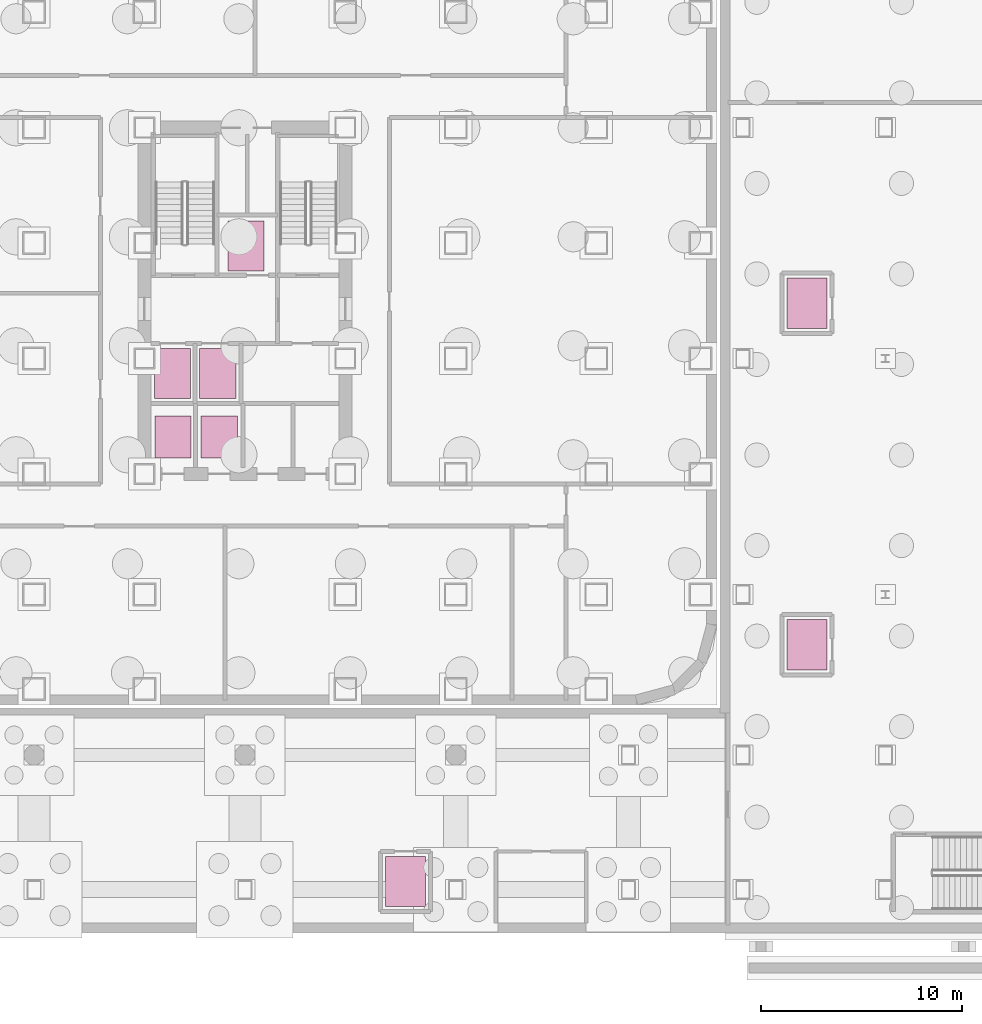
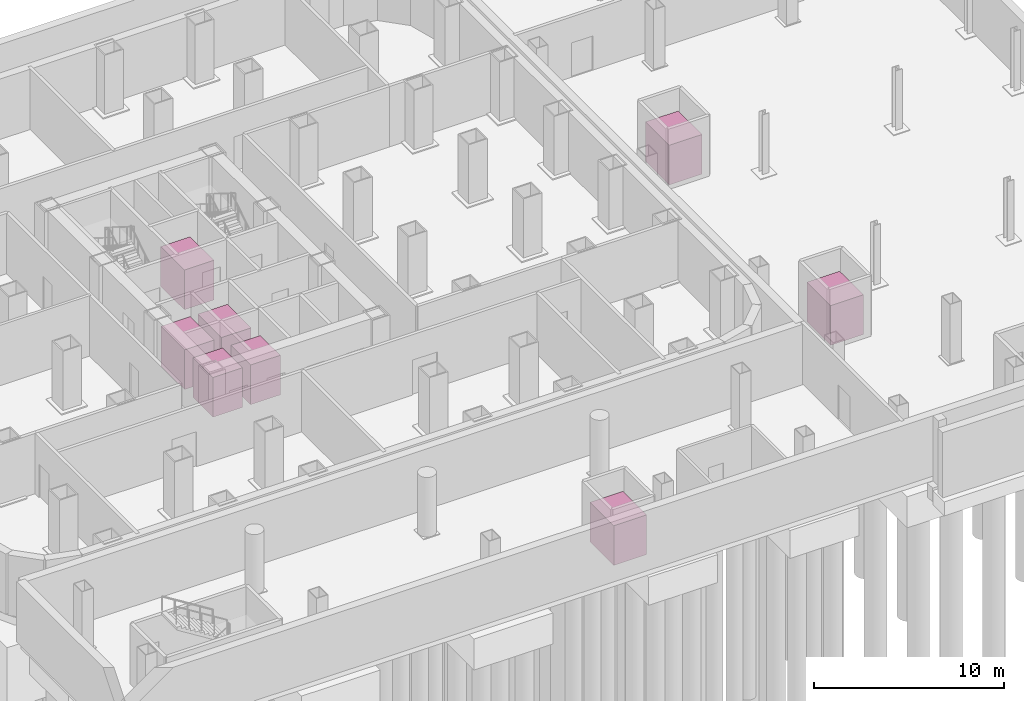
# One storey, part 16 of 16: 8 transport elements.
"""IFC4 building model written with IfcOpenShell, lengths in metres."""

from ifc_helpers import new_model, si_unit, direction, frame, origin, origin_2d, place, context, subcontext, project, spatial, rectangle, extrude, source, transform, mapped, material, type_object, element, save


model = new_model("IFC4")

# Units and contexts
model_context = context("Model", 3, precision=1e-05, world=origin(), true_north=direction((0.0, 1.0)))
body_context = subcontext(model_context, "Body", "Model", "MODEL_VIEW")
ifc_project = project(units=[si_unit("LENGTHUNIT", "METRE"), si_unit("AREAUNIT", "SQUARE_METRE"), si_unit("VOLUMEUNIT", "CUBIC_METRE"), si_unit("PLANEANGLEUNIT", "RADIAN"), si_unit("MASSUNIT", "GRAM", prefix="KILO")], contexts=[model_context])

# Site, building, storey
site_placement = place(None, origin())
site = spatial("IfcSite", under=ifc_project, at=site_placement, CompositionType="ELEMENT")
building_placement = place(site_placement, origin())
building = spatial("IfcBuilding", under=site, at=building_placement, Name="Kolveth Station Tower", CompositionType="ELEMENT")
storey_placement = place(building_placement, frame((0.0, 0.0, -8.39990234375)))
storey = spatial("IfcBuildingStorey", under=building, at=storey_placement, Name="B2", CompositionType="ELEMENT", Elevation=-8.39990234375)

# Transport elements
ifc_material = material(Name="Brushed stainless steel and aluminium", Category="steel")
transport_element_type_1 = type_object("IfcTransportElementType", Name="Lift_EL-FF", PredefinedType="ELEVATOR", material=ifc_material)
shared_shape_1 = source(origin(), body_context, "Body", "SweptSolid", [
    extrude(rectangle(XDim=1.800048828125, YDim=2.5, at=origin_2d()), origin(), (0.0, 0.0, 1.0), 2.550048828125),
])
for number, where, z_axis, x_axis, name in (
    (1, (19.89990234375, 16.5, 0.0), (0.0, 0.0, 1.0), (1.0, 0.0, 0.0), "Firefighting Lift FF1"),
    (2, (22.14990234375, 16.5, 0.0), (0.0, 0.0, 1.0), (1.0, 0.0, 0.0), "Firefighting Lift FF2"),
    (3, (23.550048828125, 22.85009765625, 0.0), (0.0, 0.0, 1.0), (1.0, 0.0, 0.0), "Service Lift SV1"),
):
    element("IfcTransportElement", number, at=place(storey_placement, frame(where, z_axis=z_axis, x_axis=x_axis)), inside=storey, type_object=transport_element_type_1, Name=name, PredefinedType="ELEVATOR", context=body_context, shape_type="MappedRepresentation", body=[
        mapped(shared_shape_1, transform((0.0, 0.0, 0.0), x_axis=(1.0, 0.0, 0.0), y_axis=(0.0, 1.0, 0.0), z_axis=(0.0, 0.0, 1.0), scale=1.0)),
    ])
transport_element_type_2 = type_object("IfcTransportElementType", Name="Lift_EL-PL", PredefinedType="ELEVATOR", material=ifc_material)
shared_shape_2 = source(origin(), body_context, "Body", "SweptSolid", [
    extrude(rectangle(XDim=1.800048828125, YDim=2.10009765625, at=origin_2d()), origin(), (0.0, 0.0, 1.0), 2.550048828125),
])
for number, where, z_axis, x_axis, name in (
    (4, (19.919921875, 13.35009765625, 0.0), (0.0, 0.0, 1.0), (1.0, 0.0, 0.0), "Low-Rise Passenger Lift PL1"),
    (5, (22.219970703125, 13.35009765625, 0.0), (0.0, 0.0, 1.0), (1.0, 0.0, 0.0), "Low-Rise Passenger Lift PL2"),
):
    element("IfcTransportElement", number, at=place(storey_placement, frame(where, z_axis=z_axis, x_axis=x_axis)), inside=storey, type_object=transport_element_type_2, Name=name, PredefinedType="ELEVATOR", context=body_context, shape_type="MappedRepresentation", body=[
        mapped(shared_shape_2, transform((0.0, 0.0, 0.0), x_axis=(1.0, 0.0, 0.0), y_axis=(0.0, 1.0, 0.0), z_axis=(0.0, 0.0, 1.0), scale=1.0)),
    ])
transport_element_type_3 = type_object("IfcTransportElementType", Name="Lift_EL-ST", PredefinedType="ELEVATOR", material=ifc_material)
shared_shape_3 = source(origin(), body_context, "Body", "SweptSolid", [
    extrude(rectangle(XDim=2.0, YDim=2.5, at=origin_2d()), origin(), (0.0, 0.0, 1.0), 2.550048828125),
])
for number, where, z_axis, x_axis, name in (
    (6, (51.5, 3.0, 0.0), (0.0, 0.0, 1.0), (1.0, 0.0, 0.0), "Station Concourse Lift SL1"),
    (7, (51.5, 20.0, 0.0), (0.0, 0.0, 1.0), (1.0, 0.0, 0.0), "Station Platform Lift SL2"),
    (8, (31.5, -8.800048828125, 0.0), (0.0, 0.0, 1.0), (1.0, 0.0, 0.0), "Station South Concourse Lift SL3"),
):
    element("IfcTransportElement", number, at=place(storey_placement, frame(where, z_axis=z_axis, x_axis=x_axis)), inside=storey, type_object=transport_element_type_3, Name=name, PredefinedType="ELEVATOR", context=body_context, shape_type="MappedRepresentation", body=[
        mapped(shared_shape_3, transform((0.0, 0.0, 0.0), x_axis=(1.0, 0.0, 0.0), y_axis=(0.0, 1.0, 0.0), z_axis=(0.0, 0.0, 1.0), scale=1.0)),
    ])

save(model, "model.ifc")
